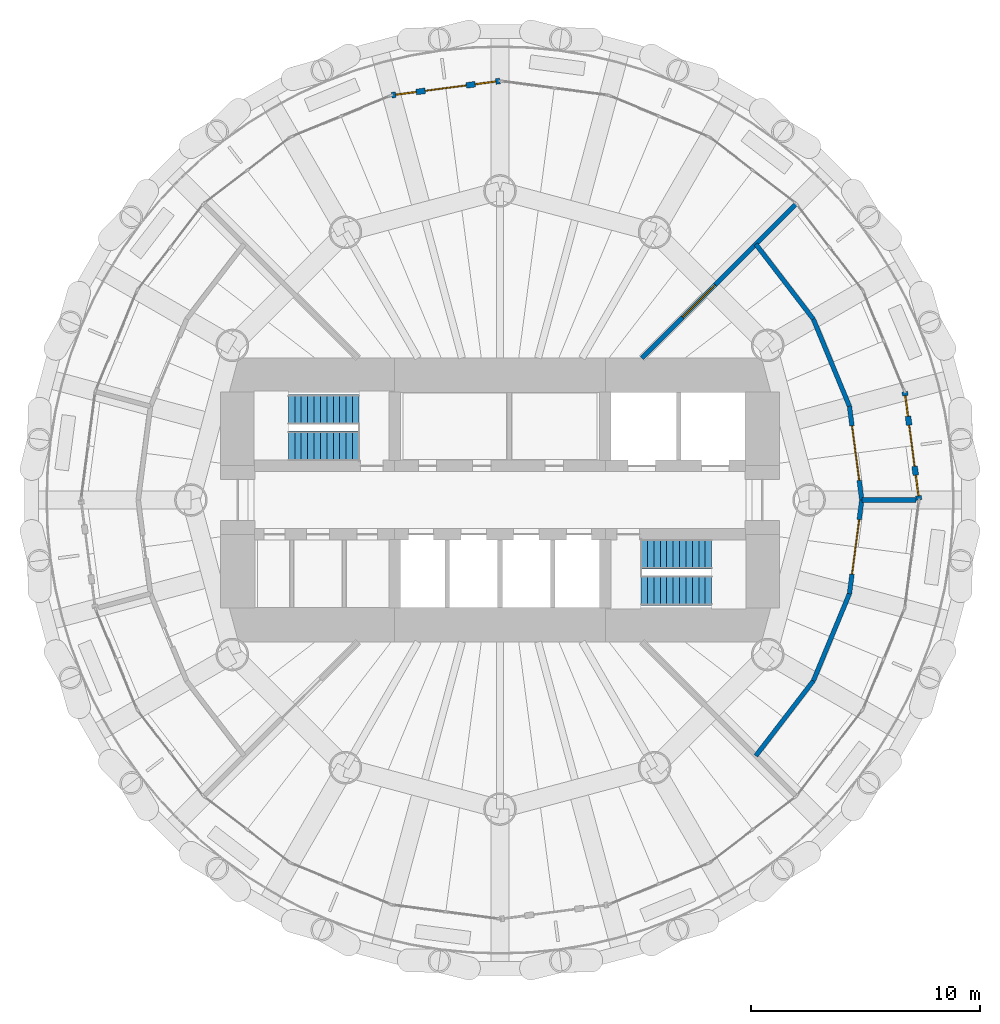
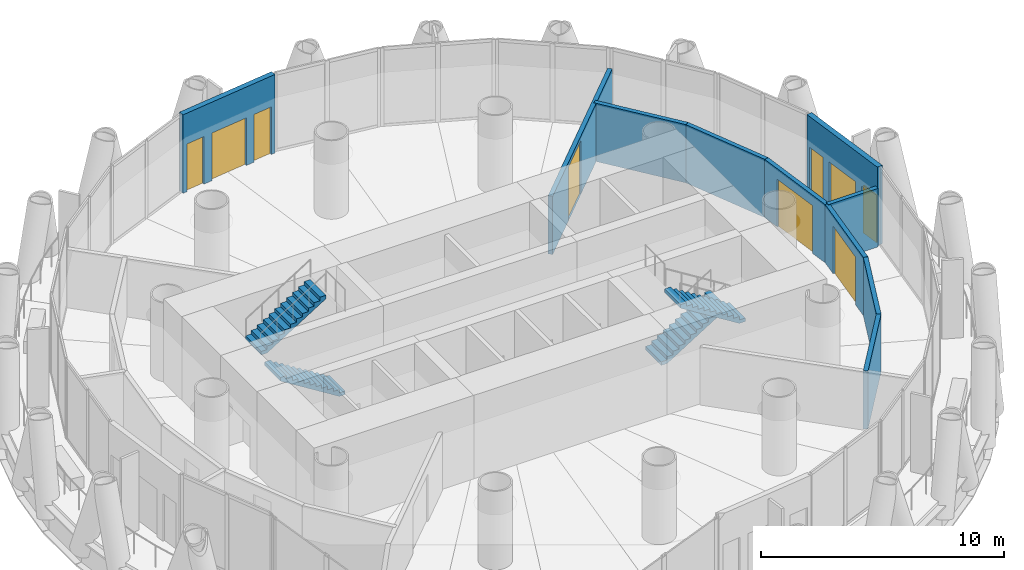
# One storey, part 10 of 13: 10 walls, 5 doors, 4 stair flights, 4 windows, 9 openings, 2 elements without a shape of their own.
"""IFC4 building model written with IfcOpenShell, lengths in metres."""

from ifc_helpers import new_model, si_unit, direction, frame, frame_2d, origin, place, context, subcontext, project, spatial, polyline, rectangle, outline, extrude, material, layer, layer_set, type_object, element, fill, aggregate, save


model = new_model("IFC4")

# Units and contexts
model_context = context("Model", 3, precision=1e-05, world=origin(), true_north=direction((0.0, 1.0)))
body_context = subcontext(model_context, "Body", "Model", "MODEL_VIEW")
ifc_project = project(units=[si_unit("LENGTHUNIT", "METRE"), si_unit("AREAUNIT", "SQUARE_METRE"), si_unit("VOLUMEUNIT", "CUBIC_METRE"), si_unit("PLANEANGLEUNIT", "RADIAN"), si_unit("MASSUNIT", "GRAM", prefix="KILO")], contexts=[model_context])

# Site, building, storey
site_placement = place(None, origin())
site = spatial("IfcSite", under=ifc_project, at=site_placement, CompositionType="ELEMENT")
building_placement = place(site_placement, origin())
building = spatial("IfcBuilding", under=site, at=building_placement, Name="Qaws Media Tower", CompositionType="ELEMENT")
storey_placement = place(building_placement, frame((0.0, 0.0, 282.199951171875)))
storey = spatial("IfcBuildingStorey", under=building, at=storey_placement, Name="L65", CompositionType="ELEMENT", Elevation=282.199951171875)

# Wall, openings, door, windows
ifc_material_1 = material(Name="Precast concrete, exposed finish", Category="concrete")
ifc_layer_1 = layer(ifc_material_1, 0.25)
ifc_layer_set_1 = layer_set([ifc_layer_1], Name="Balcony door wall 250")
wall_type_1 = type_object("IfcWallType", Name="Balcony door wall 250", PredefinedType="SOLIDWALL", material=ifc_layer_set_1)
wall_1_placement = place(storey_placement, frame((78.300048828125, 50.0, 0.0), z_axis=(0.0, 0.0, 1.0), x_axis=(-0.130523255839, 0.991445247951, 0.0)))
wall_1 = element("IfcWall", 1, at=wall_1_placement, inside=storey, type_object=wall_type_1, Name="W299 EW1 balcony door wall L65-01", PredefinedType="SOLIDWALL", context=body_context, shape_type="SweptSolid", body=[
    extrude(rectangle(XDim=4.777099609375, YDim=0.25, at=frame_2d((2.388671875, 0.0))), origin(), (0.0, 0.0, 1.0), 3.949951171875),
])
opening_1_placement = place(wall_1_placement, frame((1.488525390625, 0.0, 0.0)))
opening_1 = element("IfcOpeningElement", 2, at=opening_1_placement, cuts=wall_1, Name="Opening D7", PredefinedType="OPENING", context=body_context, shape_type="SweptSolid", body=[
    extrude(rectangle(XDim=1.800048828125, YDim=2.39990234375, at=frame_2d((0.89990234375, 1.199951171875))), frame((0.0, 0.135009765625, 0.0), z_axis=(0.0, -1.0, 0.0), x_axis=(1.0, 0.0, 0.0)), (0.0, 0.0, 1.0), 0.27001953125),
])
opening_2_placement = place(wall_1_placement, frame((0.188720703125, 0.0, 0.0)))
opening_2 = element("IfcOpeningElement", 3, at=opening_2_placement, cuts=wall_1, Name="Opening W7", PredefinedType="OPENING", context=body_context, shape_type="SweptSolid", body=[
    extrude(rectangle(XDim=0.89990234375, YDim=2.39990234375, at=frame_2d((0.449951171875, 1.199951171875))), frame((0.0, 0.135009765625, 0.0), z_axis=(0.0, -1.0, 0.0), x_axis=(1.0, 0.0, 0.0)), (0.0, 0.0, 1.0), 0.27001953125),
])
opening_3_placement = place(wall_1_placement, frame((3.688720703125, 0.0, 0.0)))
opening_3 = element("IfcOpeningElement", 4, at=opening_3_placement, cuts=wall_1, Name="Opening W7", PredefinedType="OPENING", context=body_context, shape_type="SweptSolid", body=[
    extrude(rectangle(XDim=0.89990234375, YDim=2.39990234375, at=frame_2d((0.449951171875, 1.199951171875))), frame((0.0, 0.135009765625, 0.0), z_axis=(0.0, -1.0, 0.0), x_axis=(1.0, 0.0, 0.0)), (0.0, 0.0, 1.0), 0.27001953125),
])
ifc_material_2 = material(Name="Aluminium and clear glass", Category="aluminium")
door_type_1 = type_object("IfcDoorType", Name="Balcony door pair 1800", OperationType="DOUBLE_DOOR_SLIDING", PredefinedType="DOOR", material=ifc_material_2)
door_1_placement = place(opening_1_placement, origin())
door_1 = element("IfcDoor", 5, at=door_1_placement, inside=storey, type_object=door_type_1, Name="D7 balcony door L65-01 in wall W299", OperationType="DOUBLE_DOOR_SLIDING", OverallHeight=2.39990234375, OverallWidth=1.800048828125, PredefinedType="DOOR", context=body_context, shape_type="SweptSolid", body=[
    extrude(rectangle(XDim=1.800048828125, YDim=2.39990234375, at=frame_2d((0.89990234375, 1.199951171875))), frame((0.0, 0.02490234375, 0.0), z_axis=(0.0, -1.0, 0.0), x_axis=(1.0, 0.0, 0.0)), (0.0, 0.0, 1.0), 0.050048828125),
])
fill(opening_1, door_1)
ifc_material_3 = material(Name="Aluminium and clear glass", Category="aluminium")
window_type = type_object("IfcWindowType", Name="Balcony side window 900", PartitioningType="SINGLE_PANEL", PredefinedType="WINDOW", material=ifc_material_3)
window_1_placement = place(opening_2_placement, origin())
window_1 = element("IfcWindow", 6, at=window_1_placement, inside=storey, type_object=window_type, Name="W1 balcony side light L65-01L", OverallHeight=2.39990234375, OverallWidth=0.89990234375, PartitioningType="SINGLE_PANEL", PredefinedType="WINDOW", context=body_context, shape_type="SweptSolid", body=[
    extrude(rectangle(XDim=0.89990234375, YDim=2.39990234375, at=frame_2d((0.449951171875, 1.199951171875))), frame((0.0, 0.030029296875, 0.0), z_axis=(0.0, -1.0, 0.0), x_axis=(1.0, 0.0, 0.0)), (0.0, 0.0, 1.0), 0.06005859375),
])
fill(opening_2, window_1)
window_2_placement = place(opening_3_placement, origin())
window_2 = element("IfcWindow", 7, at=window_2_placement, inside=storey, type_object=window_type, Name="W1 balcony side light L65-01R", OverallHeight=2.39990234375, OverallWidth=0.89990234375, PartitioningType="SINGLE_PANEL", PredefinedType="WINDOW", context=body_context, shape_type="SweptSolid", body=[
    extrude(rectangle(XDim=0.89990234375, YDim=2.39990234375, at=frame_2d((0.449951171875, 1.199951171875))), frame((0.0, 0.030029296875, 0.0), z_axis=(0.0, -1.0, 0.0), x_axis=(1.0, 0.0, 0.0)), (0.0, 0.0, 1.0), 0.06005859375),
])
fill(opening_3, window_2)

wall_2_placement = place(storey_placement, frame((60.0, 68.300048828125, 0.0), z_axis=(0.0, 0.0, 1.0), x_axis=(-0.991445247951, -0.130523255839, 0.0)))
wall_2 = element("IfcWall", 8, at=wall_2_placement, inside=storey, type_object=wall_type_1, Name="W298 EW1 balcony door wall L65-07", PredefinedType="SOLIDWALL", context=body_context, shape_type="SweptSolid", body=[
    extrude(rectangle(XDim=4.777099609375, YDim=0.25, at=frame_2d((2.388671875, 0.0))), origin(), (0.0, 0.0, 1.0), 3.949951171875),
])
opening_4_placement = place(wall_2_placement, frame((1.488525390625, 0.0, 0.0)))
opening_4 = element("IfcOpeningElement", 9, at=opening_4_placement, cuts=wall_2, Name="Opening D7", PredefinedType="OPENING", context=body_context, shape_type="SweptSolid", body=[
    extrude(rectangle(XDim=1.800048828125, YDim=2.39990234375, at=frame_2d((0.89990234375, 1.199951171875))), frame((0.0, 0.135009765625, 0.0), z_axis=(0.0, -1.0, 0.0), x_axis=(1.0, 0.0, 0.0)), (0.0, 0.0, 1.0), 0.27001953125),
])
opening_5_placement = place(wall_2_placement, frame((0.188720703125, 0.0, 0.0)))
opening_5 = element("IfcOpeningElement", 10, at=opening_5_placement, cuts=wall_2, Name="Opening W7", PredefinedType="OPENING", context=body_context, shape_type="SweptSolid", body=[
    extrude(rectangle(XDim=0.89990234375, YDim=2.39990234375, at=frame_2d((0.449951171875, 1.199951171875))), frame((0.0, 0.135009765625, 0.0), z_axis=(0.0, -1.0, 0.0), x_axis=(1.0, 0.0, 0.0)), (0.0, 0.0, 1.0), 0.27001953125),
])
opening_6_placement = place(wall_2_placement, frame((3.688720703125, 0.0, 0.0)))
opening_6 = element("IfcOpeningElement", 11, at=opening_6_placement, cuts=wall_2, Name="Opening W7", PredefinedType="OPENING", context=body_context, shape_type="SweptSolid", body=[
    extrude(rectangle(XDim=0.89990234375, YDim=2.39990234375, at=frame_2d((0.449951171875, 1.199951171875))), frame((0.0, 0.135009765625, 0.0), z_axis=(0.0, -1.0, 0.0), x_axis=(1.0, 0.0, 0.0)), (0.0, 0.0, 1.0), 0.27001953125),
])
door_2_placement = place(opening_4_placement, origin())
door_2 = element("IfcDoor", 12, at=door_2_placement, inside=storey, type_object=door_type_1, Name="D7 balcony door L65-07 in wall W298", OperationType="DOUBLE_DOOR_SLIDING", OverallHeight=2.39990234375, OverallWidth=1.800048828125, PredefinedType="DOOR", context=body_context, shape_type="SweptSolid", body=[
    extrude(rectangle(XDim=1.800048828125, YDim=2.39990234375, at=frame_2d((0.89990234375, 1.199951171875))), frame((0.0, 0.02490234375, 0.0), z_axis=(0.0, -1.0, 0.0), x_axis=(1.0, 0.0, 0.0)), (0.0, 0.0, 1.0), 0.050048828125),
])
fill(opening_4, door_2)
window_3_placement = place(opening_5_placement, origin())
window_3 = element("IfcWindow", 13, at=window_3_placement, inside=storey, type_object=window_type, Name="W1 balcony side light L65-07L", OverallHeight=2.39990234375, OverallWidth=0.89990234375, PartitioningType="SINGLE_PANEL", PredefinedType="WINDOW", context=body_context, shape_type="SweptSolid", body=[
    extrude(rectangle(XDim=0.89990234375, YDim=2.39990234375, at=frame_2d((0.449951171875, 1.199951171875))), frame((0.0, 0.030029296875, 0.0), z_axis=(0.0, -1.0, 0.0), x_axis=(1.0, 0.0, 0.0)), (0.0, 0.0, 1.0), 0.06005859375),
])
fill(opening_5, window_3)
window_4_placement = place(opening_6_placement, origin())
window_4 = element("IfcWindow", 14, at=window_4_placement, inside=storey, type_object=window_type, Name="W1 balcony side light L65-07R", OverallHeight=2.39990234375, OverallWidth=0.89990234375, PartitioningType="SINGLE_PANEL", PredefinedType="WINDOW", context=body_context, shape_type="SweptSolid", body=[
    extrude(rectangle(XDim=0.89990234375, YDim=2.39990234375, at=frame_2d((0.449951171875, 1.199951171875))), frame((0.0, 0.030029296875, 0.0), z_axis=(0.0, -1.0, 0.0), x_axis=(1.0, 0.0, 0.0)), (0.0, 0.0, 1.0), 0.06005859375),
])
fill(opening_6, window_4)

# Walls
ifc_material_4 = material(Name="Gypsum board on galvanised metal studs, acoustic double stud, deflection head", Category="gypsum")
ifc_layer_2 = layer(ifc_material_4, 0.199951171875)
ifc_layer_set_2 = layer_set([ifc_layer_2], Name="Room partition 200")
wall_type_2 = type_object("IfcWallType", Name="Room partition 200", PredefinedType="PARTITIONING", material=ifc_layer_set_2)
wall_3_placement = place(storey_placement, frame((71.17236328125, 61.17236328125, 0.0), z_axis=(0.0, 0.0, 1.0), x_axis=(0.608714823874, -0.793389099494, 0.0)))
element("IfcWall", 15, at=wall_3_placement, inside=storey, type_object=wall_type_2, Name="W1796 IW3 partition L65", PredefinedType="PARTITIONING", context=body_context, shape_type="SweptSolid", body=[
    extrude(rectangle(XDim=4.124755859375, YDim=0.199951171875, at=frame_2d((2.0625, 0.0))), origin(), (0.0, 0.0, 1.0), 2.929931640625),
])
wall_4_placement = place(storey_placement, frame((73.68310546875, 57.89990234375, 0.0), z_axis=(0.0, 0.0, 1.0), x_axis=(0.382731667114, -0.923859551549, 0.0)))
element("IfcWall", 16, at=wall_4_placement, inside=storey, type_object=wall_type_2, Name="W1798 IW3 partition L65", PredefinedType="PARTITIONING", context=body_context, shape_type="SweptSolid", body=[
    extrude(rectangle(XDim=4.12451171875, YDim=0.199951171875, at=frame_2d((2.062255859375, 0.0))), origin(), (0.0, 0.0, 1.0), 2.929931640625),
])

# Wall, opening, door
wall_5_placement = place(storey_placement, frame((75.26171875, 54.08935546875, 0.0), z_axis=(0.0, 0.0, 1.0), x_axis=(0.130515758099, -0.991446234996, 0.0)))
wall_5 = element("IfcWall", 17, at=wall_5_placement, inside=storey, type_object=wall_type_2, Name="W1800 IW3 partition L65", PredefinedType="PARTITIONING", context=body_context, shape_type="SweptSolid", body=[
    extrude(rectangle(XDim=4.124755859375, YDim=0.199951171875, at=frame_2d((2.0625, 0.0))), origin(), (0.0, 0.0, 1.0), 2.929931640625),
])
opening_7_placement = place(wall_5_placement, frame((0.8623046875, 0.0, 0.0)))
opening_7 = element("IfcOpeningElement", 18, at=opening_7_placement, cuts=wall_5, Name="Opening D17", PredefinedType="OPENING", context=body_context, shape_type="SweptSolid", body=[
    extrude(rectangle(XDim=2.39990234375, YDim=2.39990234375, at=frame_2d((1.199951171875, 1.199951171875))), frame((0.0, 0.10986328125, 0.0), z_axis=(0.0, -1.0, 0.0), x_axis=(1.0, 0.0, 0.0)), (0.0, 0.0, 1.0), 0.219970703125),
])
ifc_material_5 = material(Name="Timber veneered, panic hardware", Category="wood")
door_type_2 = type_object("IfcDoorType", Name="Assembly room door pair 2400x2400", OperationType="DOUBLE_DOOR_DOUBLE_SWING", PredefinedType="DOOR", material=ifc_material_5)
door_3_placement = place(opening_7_placement, origin())
door_3 = element("IfcDoor", 19, at=door_3_placement, inside=storey, type_object=door_type_2, Name="D17 Guest lounge door L65 in wall W1800", OperationType="DOUBLE_DOOR_DOUBLE_SWING", OverallHeight=2.39990234375, OverallWidth=2.39990234375, PredefinedType="DOOR", context=body_context, shape_type="SweptSolid", body=[
    extrude(rectangle(XDim=2.39990234375, YDim=2.39990234375, at=frame_2d((1.199951171875, 1.199951171875))), frame((0.0, 0.02490234375, 0.0), z_axis=(0.0, -1.0, 0.0), x_axis=(1.0, 0.0, 0.0)), (0.0, 0.0, 1.0), 0.050048828125),
])
fill(opening_7, door_3)

wall_6_placement = place(storey_placement, frame((75.800048828125, 50.0, 0.0), z_axis=(0.0, 0.0, 1.0), x_axis=(-0.130515758099, -0.991446234996, 0.0)))
wall_6 = element("IfcWall", 20, at=wall_6_placement, inside=storey, type_object=wall_type_2, Name="W1801 IW3 partition L65", PredefinedType="PARTITIONING", context=body_context, shape_type="SweptSolid", body=[
    extrude(rectangle(XDim=4.124755859375, YDim=0.199951171875, at=frame_2d((2.0625, 0.0))), origin(), (0.0, 0.0, 1.0), 2.929931640625),
])
opening_8_placement = place(wall_6_placement, frame((0.8623046875, 0.0, 0.0)))
opening_8 = element("IfcOpeningElement", 21, at=opening_8_placement, cuts=wall_6, Name="Opening D17", PredefinedType="OPENING", context=body_context, shape_type="SweptSolid", body=[
    extrude(rectangle(XDim=2.39990234375, YDim=2.39990234375, at=frame_2d((1.199951171875, 1.199951171875))), frame((0.0, 0.10986328125, 0.0), z_axis=(0.0, -1.0, 0.0), x_axis=(1.0, 0.0, 0.0)), (0.0, 0.0, 1.0), 0.219970703125),
])
door_4_placement = place(opening_8_placement, origin())
door_4 = element("IfcDoor", 22, at=door_4_placement, inside=storey, type_object=door_type_2, Name="D17 Cigar and coffee lounge door L65 in wall W1801", OperationType="DOUBLE_DOOR_DOUBLE_SWING", OverallHeight=2.39990234375, OverallWidth=2.39990234375, PredefinedType="DOOR", context=body_context, shape_type="SweptSolid", body=[
    extrude(rectangle(XDim=2.39990234375, YDim=2.39990234375, at=frame_2d((1.199951171875, 1.199951171875))), frame((0.0, 0.02490234375, 0.0), z_axis=(0.0, -1.0, 0.0), x_axis=(1.0, 0.0, 0.0)), (0.0, 0.0, 1.0), 0.050048828125),
])
fill(opening_8, door_4)

# Walls
wall_7_placement = place(storey_placement, frame((75.26171875, 45.91064453125, 0.0), z_axis=(0.0, 0.0, 1.0), x_axis=(-0.382731667114, -0.923859551549, 0.0)))
element("IfcWall", 23, at=wall_7_placement, inside=storey, type_object=wall_type_2, Name="W1799 IW3 partition L65", PredefinedType="PARTITIONING", context=body_context, shape_type="SweptSolid", body=[
    extrude(rectangle(XDim=4.12451171875, YDim=0.199951171875, at=frame_2d((2.062255859375, 0.0))), origin(), (0.0, 0.0, 1.0), 2.929931640625),
])
wall_8_placement = place(storey_placement, frame((73.68310546875, 42.10009765625, 0.0), z_axis=(0.0, 0.0, 1.0), x_axis=(-0.608714823874, -0.793389099494, 0.0)))
element("IfcWall", 24, at=wall_8_placement, inside=storey, type_object=wall_type_2, Name="W1797 IW3 partition L65", PredefinedType="PARTITIONING", context=body_context, shape_type="SweptSolid", body=[
    extrude(rectangle(XDim=4.124755859375, YDim=0.199951171875, at=frame_2d((2.0625, 0.0))), origin(), (0.0, 0.0, 1.0), 2.929931640625),
])
wall_9_placement = place(storey_placement, frame((75.800048828125, 50.0, 0.0), z_axis=(0.0, 0.0, 1.0), x_axis=(1.0, 0.0, 0.0)))
element("IfcWall", 25, at=wall_9_placement, inside=storey, type_object=wall_type_2, Name="W1802 IW3 partition L65", PredefinedType="PARTITIONING", context=body_context, shape_type="SweptSolid", body=[
    extrude(rectangle(XDim=2.35986328125, YDim=0.199951171875, at=frame_2d((1.179931640625, 0.0))), origin(), (0.0, 0.0, 1.0), 2.949951171875),
])

# Wall, opening, door
wall_10_placement = place(storey_placement, frame((66.199951171875, 56.199951171875, 0.0), z_axis=(0.0, 0.0, 1.0), x_axis=(0.707106781187, 0.707106781187, 0.0)))
wall_10 = element("IfcWall", 26, at=wall_10_placement, inside=storey, type_object=wall_type_2, Name="W1795 IW3 partition L65", PredefinedType="PARTITIONING", context=body_context, shape_type="SweptSolid", body=[
    extrude(rectangle(XDim=9.4921875, YDim=0.199951171875, at=frame_2d((4.74609375, 0.0))), origin(), (0.0, 0.0, 1.0), 2.929931640625),
])
opening_9_placement = place(wall_10_placement, frame((2.515869140625, 0.0, 0.0)))
opening_9 = element("IfcOpeningElement", 27, at=opening_9_placement, cuts=wall_10, Name="Opening D22", PredefinedType="OPENING", context=body_context, shape_type="SweptSolid", body=[
    extrude(rectangle(XDim=2.0, YDim=2.699951171875, at=frame_2d((1.0, 1.35009765625))), frame((0.0, 0.10986328125, 0.0), z_axis=(0.0, -1.0, 0.0), x_axis=(1.0, 0.0, 0.0)), (0.0, 0.0, 1.0), 0.219970703125),
])
ifc_material_6 = material(Name="Timber veneered, acoustic seals", Category="wood")
door_type_3 = type_object("IfcDoorType", Name="Boardroom door pair 2000x2700", OperationType="DOUBLE_DOOR_DOUBLE_SWING", PredefinedType="DOOR", material=ifc_material_6)
door_5_placement = place(opening_9_placement, origin())
door_5 = element("IfcDoor", 28, at=door_5_placement, inside=storey, type_object=door_type_3, Name="D22 Executive dining room door L65 in wall W1795", OperationType="DOUBLE_DOOR_DOUBLE_SWING", OverallHeight=2.699951171875, OverallWidth=2.0, PredefinedType="DOOR", context=body_context, shape_type="SweptSolid", body=[
    extrude(rectangle(XDim=2.0, YDim=2.699951171875, at=frame_2d((1.0, 1.35009765625))), frame((0.0, 0.02490234375, 0.0), z_axis=(0.0, -1.0, 0.0), x_axis=(1.0, 0.0, 0.0)), (0.0, 0.0, 1.0), 0.050048828125),
])
fill(opening_9, door_5)

# Stair, stair flights
ifc_material_7 = material(Name="Concrete C40/50", Category="concrete")
stair_type = type_object("IfcStairType", Name="Exit stair", PredefinedType="HALF_TURN_STAIR", material=ifc_material_7)
stair_1_placement = place(storey_placement, origin())
stair_1 = element("IfcStair", 29, at=stair_1_placement, inside=storey, type_object=stair_type, Name="S1 exit stair L65", PredefinedType="HALF_TURN_STAIR")
ifc_material_8 = material(Name="Concrete C40/50", Category="concrete")
stair_flight_type = type_object("IfcStairFlightType", Name="Stair flight 1310", PredefinedType="STRAIGHT", material=ifc_material_8)
stair_flight_1_placement = place(storey_placement, frame((53.840087890625, 52.35498046875, 0.0), z_axis=(0.0, 0.0, 1.0), x_axis=(-1.0, 0.0, 0.0)))
stair_flight_1 = element("IfcStairFlight", 30, at=stair_flight_1_placement, type_object=stair_flight_type, Name="S1 flight 1", NumberOfRisers=12, NumberOfTreads=11, PredefinedType="STRAIGHT", RiserHeight=0.175, TreadLength=0.28, context=body_context, shape_type="SweptSolid", body=[
    extrude(outline(polyline([(0.0, 0.0), (0.0, 0.175048828125), (0.280029296875, 0.175048828125), (0.280029296875, 0.35009765625), (0.56005859375, 0.35009765625), (0.56005859375, 0.52490234375), (0.840087890625, 0.52490234375), (0.840087890625, 0.699951171875), (1.1201171875, 0.699951171875), (1.1201171875, 0.875), (1.39990234375, 0.875), (1.39990234375, 1.050048828125), (1.679931640625, 1.050048828125), (1.679931640625, 1.22509765625), (1.9599609375, 1.22509765625), (1.9599609375, 1.39990234375), (2.239990234375, 1.39990234375), (2.239990234375, 1.574951171875), (2.52001953125, 1.574951171875), (2.52001953125, 1.75), (2.800048828125, 1.75), (2.800048828125, 1.925048828125), (3.080078125, 1.925048828125), (3.080078125, 2.10009765625), (3.080078125, 1.748291015625), (0.28271484375, 0.0), (0.0, 0.0)])), frame((0.0, 0.655029296875, 0.0), z_axis=(0.0, -1.0, 0.0), x_axis=(1.0, 0.0, 0.0)), (0.0, 0.0, 1.0), 1.31005859375),
])
stair_flight_2_placement = place(storey_placement, frame((50.760009765625, 53.945068359375, 2.10009765625), z_axis=(0.0, 0.0, 1.0), x_axis=(1.0, 0.0, 0.0)))
stair_flight_2 = element("IfcStairFlight", 31, at=stair_flight_2_placement, type_object=stair_flight_type, Name="S1 flight 2", NumberOfRisers=12, NumberOfTreads=11, PredefinedType="STRAIGHT", RiserHeight=0.175, TreadLength=0.28, context=body_context, shape_type="SweptSolid", body=[
    extrude(outline(polyline([(0.0, 0.0), (0.0, 0.175048828125), (0.280029296875, 0.175048828125), (0.280029296875, 0.35009765625), (0.56005859375, 0.35009765625), (0.56005859375, 0.52490234375), (0.840087890625, 0.52490234375), (0.840087890625, 0.699951171875), (1.1201171875, 0.699951171875), (1.1201171875, 0.875), (1.39990234375, 0.875), (1.39990234375, 1.050048828125), (1.679931640625, 1.050048828125), (1.679931640625, 1.22509765625), (1.9599609375, 1.22509765625), (1.9599609375, 1.39990234375), (2.239990234375, 1.39990234375), (2.239990234375, 1.574951171875), (2.52001953125, 1.574951171875), (2.52001953125, 1.75), (2.800048828125, 1.75), (2.800048828125, 1.925048828125), (3.080078125, 1.925048828125), (3.080078125, 2.10009765625), (3.080078125, 1.748291015625), (0.28271484375, 0.0), (0.0, 0.0)])), frame((0.0, 0.655029296875, 0.0), z_axis=(0.0, -1.0, 0.0), x_axis=(1.0, 0.0, 0.0)), (0.0, 0.0, 1.0), 1.31005859375),
])
aggregate(stair_1, [stair_flight_1, stair_flight_2])

stair_2_placement = place(storey_placement, origin())
stair_2 = element("IfcStair", 32, at=stair_2_placement, inside=storey, type_object=stair_type, Name="S2 exit stair L65", PredefinedType="HALF_TURN_STAIR")
stair_flight_3_placement = place(storey_placement, frame((66.159912109375, 47.64501953125, 0.0), z_axis=(0.0, 0.0, 1.0), x_axis=(1.0, 0.0, 0.0)))
stair_flight_3 = element("IfcStairFlight", 33, at=stair_flight_3_placement, type_object=stair_flight_type, Name="S2 flight 1", NumberOfRisers=12, NumberOfTreads=11, PredefinedType="STRAIGHT", RiserHeight=0.175, TreadLength=0.28, context=body_context, shape_type="SweptSolid", body=[
    extrude(outline(polyline([(0.0, 0.0), (0.0, 0.175048828125), (0.280029296875, 0.175048828125), (0.280029296875, 0.35009765625), (0.56005859375, 0.35009765625), (0.56005859375, 0.52490234375), (0.840087890625, 0.52490234375), (0.840087890625, 0.699951171875), (1.1201171875, 0.699951171875), (1.1201171875, 0.875), (1.39990234375, 0.875), (1.39990234375, 1.050048828125), (1.679931640625, 1.050048828125), (1.679931640625, 1.22509765625), (1.9599609375, 1.22509765625), (1.9599609375, 1.39990234375), (2.239990234375, 1.39990234375), (2.239990234375, 1.574951171875), (2.52001953125, 1.574951171875), (2.52001953125, 1.75), (2.800048828125, 1.75), (2.800048828125, 1.925048828125), (3.080078125, 1.925048828125), (3.080078125, 2.10009765625), (3.080078125, 1.748291015625), (0.28271484375, 0.0), (0.0, 0.0)])), frame((0.0, 0.655029296875, 0.0), z_axis=(0.0, -1.0, 0.0), x_axis=(1.0, 0.0, 0.0)), (0.0, 0.0, 1.0), 1.31005859375),
])
stair_flight_4_placement = place(storey_placement, frame((69.239990234375, 46.054931640625, 2.10009765625), z_axis=(0.0, 0.0, 1.0), x_axis=(-1.0, 0.0, 0.0)))
stair_flight_4 = element("IfcStairFlight", 34, at=stair_flight_4_placement, type_object=stair_flight_type, Name="S2 flight 2", NumberOfRisers=12, NumberOfTreads=11, PredefinedType="STRAIGHT", RiserHeight=0.175, TreadLength=0.28, context=body_context, shape_type="SweptSolid", body=[
    extrude(outline(polyline([(0.0, 0.0), (0.0, 0.175048828125), (0.280029296875, 0.175048828125), (0.280029296875, 0.35009765625), (0.56005859375, 0.35009765625), (0.56005859375, 0.52490234375), (0.840087890625, 0.52490234375), (0.840087890625, 0.699951171875), (1.1201171875, 0.699951171875), (1.1201171875, 0.875), (1.39990234375, 0.875), (1.39990234375, 1.050048828125), (1.679931640625, 1.050048828125), (1.679931640625, 1.22509765625), (1.9599609375, 1.22509765625), (1.9599609375, 1.39990234375), (2.239990234375, 1.39990234375), (2.239990234375, 1.574951171875), (2.52001953125, 1.574951171875), (2.52001953125, 1.75), (2.800048828125, 1.75), (2.800048828125, 1.925048828125), (3.080078125, 1.925048828125), (3.080078125, 2.10009765625), (3.080078125, 1.748291015625), (0.28271484375, 0.0), (0.0, 0.0)])), frame((0.0, 0.655029296875, 0.0), z_axis=(0.0, -1.0, 0.0), x_axis=(1.0, 0.0, 0.0)), (0.0, 0.0, 1.0), 1.31005859375),
])
aggregate(stair_2, [stair_flight_3, stair_flight_4])

save(model, "model.ifc")
